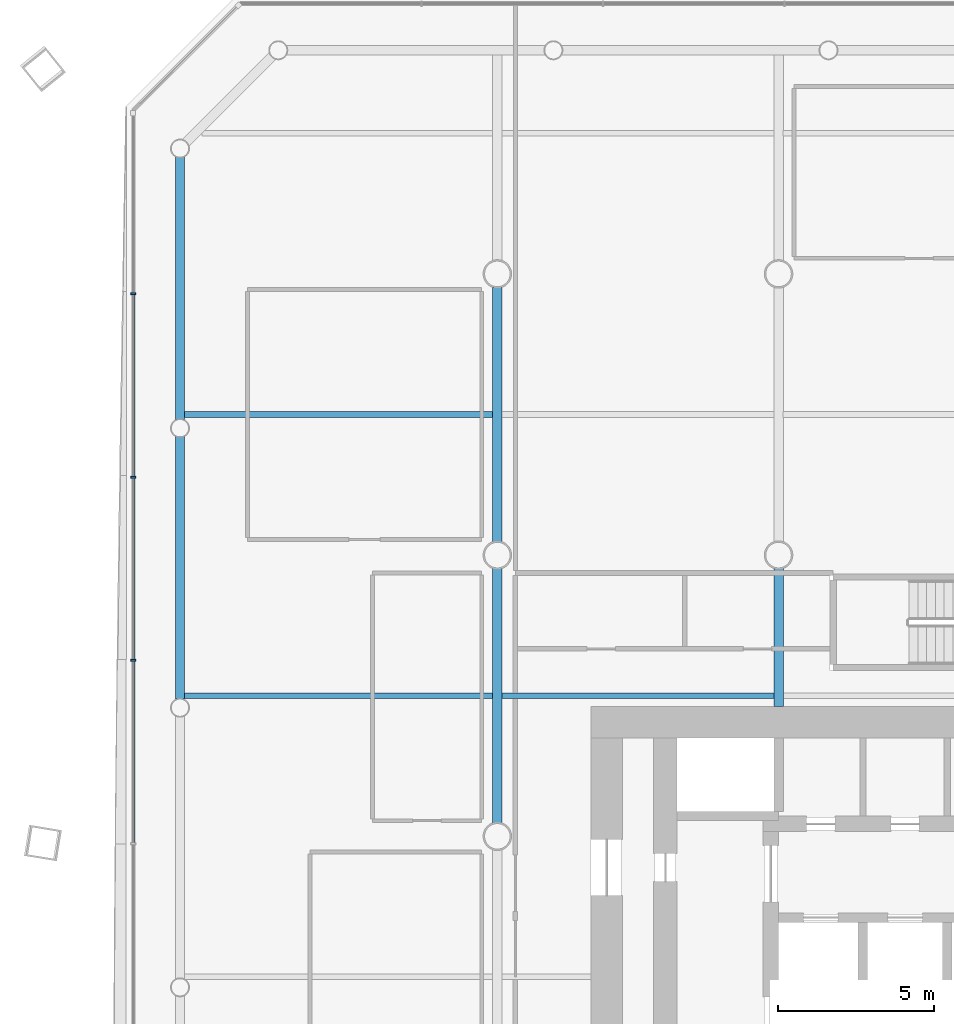
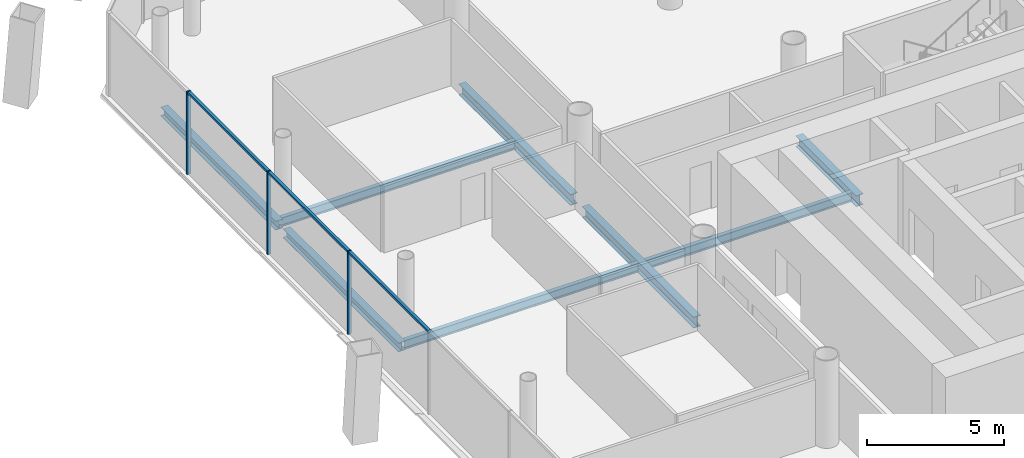
# One storey, part 7 of 21: 8 beams, 6 members, 1 element without a shape of its own.
"""IFC4 building model written with IfcOpenShell, lengths in metres."""

from ifc_helpers import new_model, si_unit, direction, frame, origin, origin_2d, place, context, subcontext, project, spatial, rectangle, i_section, extrude, material, material_profile, profile_set, type_object, element, aggregate, save


model = new_model("IFC4")

# Units and contexts
model_context = context("Model", 3, precision=1e-05, world=origin(), true_north=direction((0.0, 1.0)))
body_context = subcontext(model_context, "Body", "Model", "MODEL_VIEW")
ifc_project = project(units=[si_unit("LENGTHUNIT", "METRE"), si_unit("AREAUNIT", "SQUARE_METRE"), si_unit("VOLUMEUNIT", "CUBIC_METRE"), si_unit("PLANEANGLEUNIT", "RADIAN"), si_unit("MASSUNIT", "GRAM", prefix="KILO")], contexts=[model_context])

# Site, building, storey
site_placement = place(None, origin())
site = spatial("IfcSite", under=ifc_project, at=site_placement, CompositionType="ELEMENT")
building_placement = place(site_placement, origin())
building = spatial("IfcBuilding", under=site, at=building_placement, Name="Tskaro Facet Tower", CompositionType="ELEMENT")
storey_placement = place(building_placement, frame((0.0, 0.0, 38.10009765625)))
storey = spatial("IfcBuildingStorey", under=building, at=storey_placement, Name="L08", CompositionType="ELEMENT", Elevation=38.10009765625)

# Curtain wall, members
ifc_material_1 = material(Name="Bronze anodised aluminium 6063-T6", Category="aluminium")
curtain_wall_type = type_object("IfcCurtainWallType", Name="Bronze office curtain wall (FW1)", PredefinedType="NOTDEFINED", material=ifc_material_1)
curtain_wall_placement = place(storey_placement, origin())
curtain_wall = element("IfcCurtainWall", 1, at=curtain_wall_placement, inside=storey, type_object=curtain_wall_type, Name="FW1 west facet L08", PredefinedType="NOTDEFINED")
ifc_material_profile_1 = material_profile(ifc_material_1, rectangle(XDim=0.06005859375, YDim=0.159912109375, at=origin_2d()), Name="Mullion 60x160")
ifc_profile_set_1 = profile_set([ifc_material_profile_1], Name="Bronze anodised aluminium 6063-T6")
member_type_1 = type_object("IfcMemberType", Name="FW1 bronze mullion 60x160", PredefinedType="MULLION", material=ifc_profile_set_1)
member_1_placement = place(storey_placement, frame((-29.654052734375, 17.366455078125, 0.0), z_axis=(0.0, 0.0, 1.0), x_axis=(0.0, -1.0, 0.0)))
member_1 = element("IfcMember", 2, at=member_1_placement, type_object=member_type_1, Name="FW1 west mullion 1", PredefinedType="MULLION", context=body_context, shape_type="SweptSolid", body=[
    extrude(rectangle(XDim=0.06005859375, YDim=0.159912109375, at=origin_2d()), origin(), (0.0, 0.0, 1.0), 3.699951171875),
])
member_2_placement = place(storey_placement, frame((-29.654052734375, 11.498046875, 0.0), z_axis=(0.0, 0.0, 1.0), x_axis=(0.0, -1.0, 0.0)))
member_2 = element("IfcMember", 3, at=member_2_placement, type_object=member_type_1, Name="FW1 west mullion 2", PredefinedType="MULLION", context=body_context, shape_type="SweptSolid", body=[
    extrude(rectangle(XDim=0.06005859375, YDim=0.159912109375, at=origin_2d()), origin(), (0.0, 0.0, 1.0), 3.699951171875),
])
member_3_placement = place(storey_placement, frame((-29.654052734375, 5.62939453125, 0.0), z_axis=(0.0, 0.0, 1.0), x_axis=(0.0, -1.0, 0.0)))
member_3 = element("IfcMember", 4, at=member_3_placement, type_object=member_type_1, Name="FW1 west mullion 3", PredefinedType="MULLION", context=body_context, shape_type="SweptSolid", body=[
    extrude(rectangle(XDim=0.06005859375, YDim=0.159912109375, at=origin_2d()), origin(), (0.0, 0.0, 1.0), 3.699951171875),
])
ifc_material_profile_2 = material_profile(ifc_material_1, rectangle(XDim=0.1201171875, YDim=0.10009765625, at=origin_2d()), Name="Transom 120x100")
ifc_profile_set_2 = profile_set([ifc_material_profile_2], Name="Bronze anodised aluminium 6063-T6")
member_type_2 = type_object("IfcMemberType", Name="FW1 bronze transom 120x100", PredefinedType="USERDEFINED", material=ifc_profile_set_2)
member_4_placement = place(storey_placement, frame((-29.654052734375, 17.33642578125, 3.64990234375), z_axis=(0.0, -1.0, 0.0), x_axis=(1.0, 0.0, 0.0)))
member_4 = element("IfcMember", 5, at=member_4_placement, type_object=member_type_2, Name="FW1 west transom 2.1", ObjectType="TRANSOM", PredefinedType="USERDEFINED", context=body_context, shape_type="SweptSolid", body=[
    extrude(rectangle(XDim=0.1201171875, YDim=0.10009765625, at=origin_2d()), origin(), (0.0, 0.0, 1.0), 5.808349609375),
])
member_5_placement = place(storey_placement, frame((-29.654052734375, 11.468017578125, 3.64990234375), z_axis=(0.0, -1.0, 0.0), x_axis=(1.0, 0.0, 0.0)))
member_5 = element("IfcMember", 6, at=member_5_placement, type_object=member_type_2, Name="FW1 west transom 3.1", ObjectType="TRANSOM", PredefinedType="USERDEFINED", context=body_context, shape_type="SweptSolid", body=[
    extrude(rectangle(XDim=0.1201171875, YDim=0.10009765625, at=origin_2d()), origin(), (0.0, 0.0, 1.0), 5.80859375),
])
member_6_placement = place(storey_placement, frame((-29.654052734375, 5.599609375, 3.64990234375), z_axis=(0.0, -1.0, 0.0), x_axis=(1.0, 0.0, 0.0)))
member_6 = element("IfcMember", 7, at=member_6_placement, type_object=member_type_2, Name="FW1 west transom 4.1", ObjectType="TRANSOM", PredefinedType="USERDEFINED", context=body_context, shape_type="SweptSolid", body=[
    extrude(rectangle(XDim=0.1201171875, YDim=0.10009765625, at=origin_2d()), origin(), (0.0, 0.0, 1.0), 5.80859375),
])
aggregate(curtain_wall, [member_1, member_2, member_3, member_4, member_5, member_6])

# Beams
ifc_material_2 = material(Name="Steel S355J2", Category="steel")
ifc_material_profile_3 = material_profile(ifc_material_2, i_section(OverallWidth=0.300048828125, OverallDepth=0.39990234375, WebThickness=0.013427734375, FlangeThickness=0.02392578125, FilletRadius=0.027099609375, at=origin_2d()), Name="HE 400 B")
ifc_profile_set_3 = profile_set([ifc_material_profile_3], Name="Steel S355J2")
beam_type_1 = type_object("IfcBeamType", Name="HE 400 B ring beam", PredefinedType="BEAM", material=ifc_profile_set_3)
for number, where, z_axis, x_axis, name in (
    (8, (-28.156982421875, 21.737060546875, -0.340087890625), (0.0, -1.0, 0.0), (1.0, 0.0, 0.0), "HE 400 B EB20-1"),
    (9, (-28.156982421875, 12.7890625, -0.340087890625), (0.0, -1.0, 0.0), (1.0, 0.0, 0.0), "HE 400 B EB21-1"),
):
    element("IfcBeam", number, at=place(storey_placement, frame(where, z_axis=z_axis, x_axis=x_axis)), inside=storey, type_object=beam_type_1, Name=name, PredefinedType="BEAM", context=body_context, shape_type="SweptSolid", body=[
        extrude(i_section(OverallWidth=0.300048828125, OverallDepth=0.39990234375, WebThickness=0.013427734375, FlangeThickness=0.02392578125, FilletRadius=0.027099609375, at=origin_2d()), origin(), (0.0, 0.0, 1.0), 8.39794921875),
    ])
ifc_material_profile_4 = material_profile(ifc_material_2, i_section(OverallWidth=0.300048828125, OverallDepth=0.489990234375, WebThickness=0.011962890625, FlangeThickness=0.02294921875, FilletRadius=0.027099609375, at=origin_2d()), Name="HE 500 A")
ifc_profile_set_4 = profile_set([ifc_material_profile_4], Name="Steel S355J2")
beam_type_2 = type_object("IfcBeamType", Name="HE 500 A girder", PredefinedType="BEAM", material=ifc_profile_set_4)
for number, where, z_axis, x_axis, name in (
    (10, (-18.0, 0.42724609375, -0.385009765625), (0.0, 1.0, 0.0), (-1.0, 0.0, 0.0), "HE 500 A GB2-4-1"),
    (11, (-18.0, 9.42724609375, -0.385009765625), (0.0, 1.0, 0.0), (-1.0, 0.0, 0.0), "HE 500 A GB2-5-1"),
):
    element("IfcBeam", number, at=place(storey_placement, frame(where, z_axis=z_axis, x_axis=x_axis)), inside=storey, type_object=beam_type_2, Name=name, PredefinedType="BEAM", context=body_context, shape_type="SweptSolid", body=[
        extrude(i_section(OverallWidth=0.300048828125, OverallDepth=0.489990234375, WebThickness=0.011962890625, FlangeThickness=0.02294921875, FilletRadius=0.027099609375, at=origin_2d()), origin(), (0.0, 0.0, 1.0), 8.1455078125),
    ])
beam_1_placement = place(storey_placement, frame((-9.0, 4.14990234375, -0.385009765625), z_axis=(0.0, 1.0, 0.0), x_axis=(-1.0, 0.0, 0.0)))
element("IfcBeam", 12, at=beam_1_placement, inside=storey, type_object=beam_type_2, Name="HE 500 A GB3-3-1", PredefinedType="BEAM", context=body_context, shape_type="SweptSolid", body=[
    extrude(i_section(OverallWidth=0.300048828125, OverallDepth=0.489990234375, WebThickness=0.011962890625, FlangeThickness=0.02294921875, FilletRadius=0.027099609375, at=origin_2d()), origin(), (0.0, 0.0, 1.0), 4.4228515625),
])
ifc_material_profile_5 = material_profile(ifc_material_2, i_section(OverallWidth=0.179931640625, OverallDepth=0.39990234375, WebThickness=0.008544921875, FlangeThickness=0.013427734375, FilletRadius=0.02099609375, at=origin_2d()), Name="IPE 400")
ifc_profile_set_5 = profile_set([ifc_material_profile_5], Name="Steel S355J2")
beam_type_3 = type_object("IfcBeamType", Name="IPE 400 secondary beam", PredefinedType="BEAM", material=ifc_profile_set_5)
beam_2_placement = place(storey_placement, frame((-28.007080078125, 4.5, -0.340087890625), z_axis=(1.0, 0.0, 0.0), x_axis=(0.0, 1.0, 0.0)))
element("IfcBeam", 13, at=beam_2_placement, inside=storey, type_object=beam_type_3, Name="IPE 400 SB4a-1-1", PredefinedType="BEAM", context=body_context, shape_type="SweptSolid", body=[
    extrude(i_section(OverallWidth=0.179931640625, OverallDepth=0.39990234375, WebThickness=0.008544921875, FlangeThickness=0.013427734375, FilletRadius=0.02099609375, at=origin_2d()), origin(), (0.0, 0.0, 1.0), 9.857177734375),
])
beam_3_placement = place(storey_placement, frame((-17.85009765625, 4.5, -0.340087890625), z_axis=(1.0, 0.0, 0.0), x_axis=(0.0, 1.0, 0.0)))
element("IfcBeam", 14, at=beam_3_placement, inside=storey, type_object=beam_type_3, Name="IPE 400 SB4a-2-1", PredefinedType="BEAM", context=body_context, shape_type="SweptSolid", body=[
    extrude(i_section(OverallWidth=0.179931640625, OverallDepth=0.39990234375, WebThickness=0.008544921875, FlangeThickness=0.013427734375, FilletRadius=0.02099609375, at=origin_2d()), origin(), (0.0, 0.0, 1.0), 8.7001953125),
])
beam_4_placement = place(storey_placement, frame((-28.007080078125, 13.5, -0.340087890625), z_axis=(1.0, 0.0, 0.0), x_axis=(0.0, 1.0, 0.0)))
element("IfcBeam", 15, at=beam_4_placement, inside=storey, type_object=beam_type_3, Name="IPE 400 SB5a-1-1", PredefinedType="BEAM", context=body_context, shape_type="SweptSolid", body=[
    extrude(i_section(OverallWidth=0.179931640625, OverallDepth=0.39990234375, WebThickness=0.008544921875, FlangeThickness=0.013427734375, FilletRadius=0.02099609375, at=origin_2d()), origin(), (0.0, 0.0, 1.0), 9.857177734375),
])

save(model, "model.ifc")
